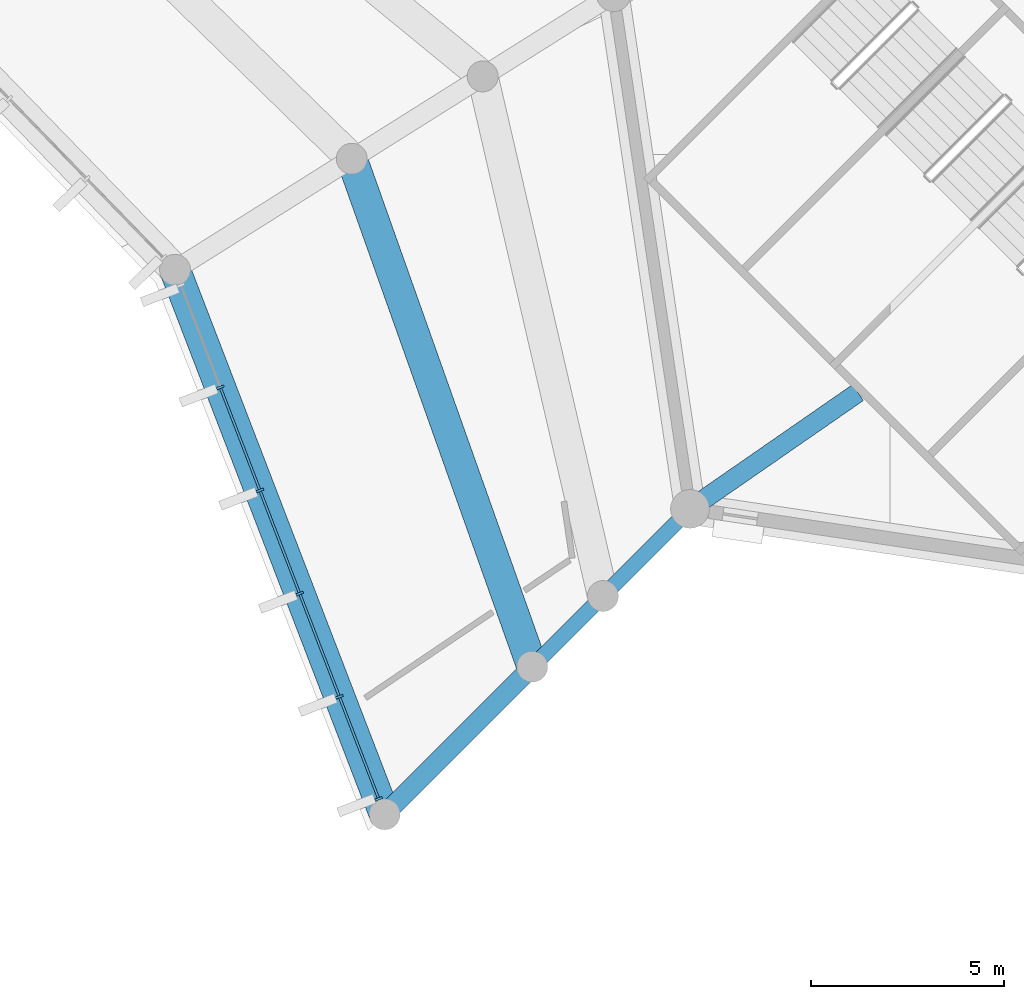
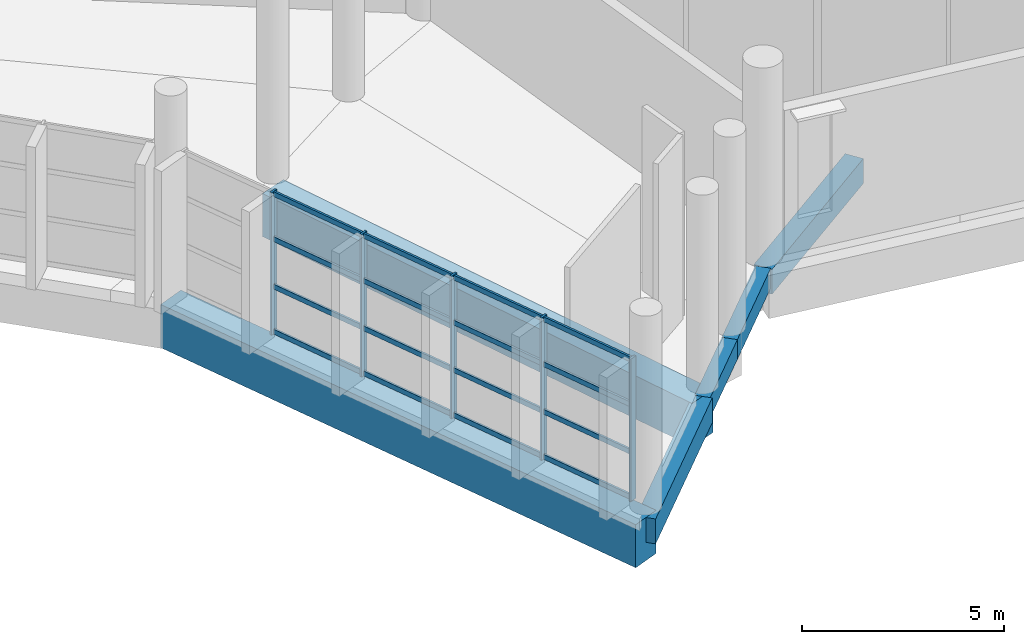
# One storey, part 5 of 249: 21 members, 6 beams, 1 element without a shape of its own.
"""IFC4 building model written with IfcOpenShell, lengths in metres."""

from ifc_helpers import new_model, si_unit, direction, frame, origin, origin_2d, place, context, subcontext, project, spatial, rectangle, extrude, material, layer, layer_set, material_profile, profile_set, type_object, element, aggregate, save


model = new_model("IFC4")

# Units and contexts
model_context = context("Model", 3, precision=1e-05, world=origin(), true_north=direction((0.0, 1.0)))
body_context = subcontext(model_context, "Body", "Model", "MODEL_VIEW")
ifc_project = project(units=[si_unit("LENGTHUNIT", "METRE"), si_unit("AREAUNIT", "SQUARE_METRE"), si_unit("VOLUMEUNIT", "CUBIC_METRE"), si_unit("PLANEANGLEUNIT", "RADIAN"), si_unit("MASSUNIT", "GRAM", prefix="KILO")], contexts=[model_context])

# Site, building, storey
site_placement = place(None, origin())
site = spatial("IfcSite", under=ifc_project, at=site_placement, CompositionType="ELEMENT")
building_placement = place(site_placement, origin())
building = spatial("IfcBuilding", under=site, at=building_placement, Name="Meseta Stadium", CompositionType="ELEMENT")
storey_placement = place(building_placement, frame((0.0, 0.0, 12.0)))
storey = spatial("IfcBuildingStorey", under=building, at=storey_placement, Name="L02", CompositionType="ELEMENT", Elevation=12.0)

# Beams
ifc_material_1 = material(Name="Concrete C40/50", Category="concrete")
ifc_material_profile_1 = material_profile(ifc_material_1, rectangle(XDim=0.39990234375, YDim=0.60009765625, at=origin_2d()), Name="RC 400x600")
ifc_profile_set_1 = profile_set([ifc_material_profile_1], Name="Concrete C40/50")
beam_type_1 = type_object("IfcBeamType", Name="RC beam 400x600", PredefinedType="BEAM", material=ifc_profile_set_1)
beam_1_placement = place(storey_placement, frame((-85.173583984375, -89.173583984375, -0.64990234375), z_axis=(-0.707106781187, -0.707106781187, 0.0), x_axis=(0.707106781187, -0.707106781187, 0.0)))
element("IfcBeam", 1, at=beam_1_placement, inside=storey, type_object=beam_type_1, Name="L02 radial beam frame 40 line R to M", PredefinedType="BEAM", context=body_context, shape_type="SweptSolid", body=[
    extrude(rectangle(XDim=0.39990234375, YDim=0.60009765625, at=origin_2d()), origin(), (0.0, 0.0, 1.0), 3.18603515625),
])
beam_2_placement = place(storey_placement, frame((-87.426513671875, -91.426513671875, -0.64990234375), z_axis=(-0.707106781187, -0.707106781187, 0.0), x_axis=(0.707106781187, -0.707106781187, 0.0)))
element("IfcBeam", 2, at=beam_2_placement, inside=storey, type_object=beam_type_1, Name="L02 radial beam frame 40 line M to Q", PredefinedType="BEAM", context=body_context, shape_type="SweptSolid", body=[
    extrude(rectangle(XDim=0.39990234375, YDim=0.60009765625, at=origin_2d()), origin(), (0.0, 0.0, 1.0), 2.585693359375),
])
ifc_material_2 = material(Name="Concrete C40/50", Category="concrete")
ifc_material_profile_2 = material_profile(ifc_material_2, rectangle(XDim=0.5, YDim=0.75, at=origin_2d()), Name="RC 500x750")
ifc_profile_set_2 = profile_set([ifc_material_profile_2], Name="Concrete C40/50")
beam_type_2 = type_object("IfcBeamType", Name="RC beam 500x750", PredefinedType="BEAM", material=ifc_profile_set_2)
beam_3_placement = place(storey_placement, frame((-80.830078125, -86.16357421875, -0.72509765625), z_axis=(-0.821929323184, -0.569589490503, 0.0), x_axis=(0.569589490503, -0.821929323184, 0.0)))
element("IfcBeam", 3, at=beam_3_placement, inside=storey, type_object=beam_type_2, Name="L02 radial beam frame 40 line P to R", PredefinedType="BEAM", context=body_context, shape_type="SweptSolid", body=[
    extrude(rectangle(XDim=0.5, YDim=0.75, at=origin_2d()), origin(), (0.0, 0.0, 1.0), 5.284423828125),
])
beam_4_placement = place(storey_placement, frame((-89.2548828125, -93.2548828125, -0.72509765625), z_axis=(-0.707106781187, -0.707106781187, 0.0), x_axis=(0.707106781187, -0.707106781187, 0.0)))
element("IfcBeam", 4, at=beam_4_placement, inside=storey, type_object=beam_type_2, Name="L02 radial beam frame 40 line Q to O", PredefinedType="BEAM", context=body_context, shape_type="SweptSolid", body=[
    extrude(rectangle(XDim=0.5, YDim=0.75, at=origin_2d()), origin(), (0.0, 0.0, 1.0), 5.39990234375),
])
ifc_material_3 = material(Name="Concrete C40/50", Category="concrete")
ifc_material_profile_3 = material_profile(ifc_material_3, rectangle(XDim=0.800048828125, YDim=1.300048828125, at=origin_2d()), Name="RC 800x1300")
ifc_profile_set_3 = profile_set([ifc_material_profile_3], Name="Concrete C40/50")
beam_type_3 = type_object("IfcBeamType", Name="RC beam 800x1300", PredefinedType="BEAM", material=ifc_profile_set_3)
beam_5_placement = place(storey_placement, frame((-93.924560546875, -80.113037109375, -1.0), z_axis=(0.334820067045, -0.942282082343, 0.0), x_axis=(0.942282082343, 0.334820067045, 0.0)))
element("IfcBeam", 5, at=beam_5_placement, inside=storey, type_object=beam_type_3, Name="L02 ring beam frame 39 line Q", PredefinedType="BEAM", context=body_context, shape_type="SweptSolid", body=[
    extrude(rectangle(XDim=0.800048828125, YDim=1.300048828125, at=origin_2d()), origin(), (0.0, 0.0, 1.0), 13.94677734375),
])
beam_6_placement = place(storey_placement, frame((-98.496826171875, -82.986083984375, -1.0), z_axis=(0.359293357588, -0.933224669195, 0.0), x_axis=(0.933224669195, 0.359293357588, 0.0)))
element("IfcBeam", 6, at=beam_6_placement, inside=storey, type_object=beam_type_3, Name="L02 ring beam frame 39 line O", PredefinedType="BEAM", context=body_context, shape_type="SweptSolid", body=[
    extrude(rectangle(XDim=0.800048828125, YDim=1.300048828125, at=origin_2d()), origin(), (0.0, 0.0, 1.0), 15.09521484375),
])

# Curtain wall, members
ifc_material_4 = material(Name="Aluminium", Category="aluminium")
ifc_layer = layer(ifc_material_4, 0.199951171875)
ifc_layer_set = layer_set([ifc_layer], Name="Ring shopfront curtain wall")
curtain_wall_type = type_object("IfcCurtainWallType", Name="Ring shopfront curtain wall", PredefinedType="NOTDEFINED", material=ifc_layer_set)
curtain_wall_placement = place(storey_placement, origin())
curtain_wall = element("IfcCurtainWall", 7, at=curtain_wall_placement, inside=storey, type_object=curtain_wall_type, Name="Ring glazing L02 F39", PredefinedType="NOTDEFINED")
ifc_material_5 = material(Name="Aluminium", Category="aluminium")
ifc_material_profile_4 = material_profile(ifc_material_5, rectangle(XDim=0.199951171875, YDim=0.06005859375, at=origin_2d()), Name="CW 200x60")
ifc_profile_set_4 = profile_set([ifc_material_profile_4], Name="Aluminium")
member_type_1 = type_object("IfcMemberType", Name="Ring CW mullion 60x200", PredefinedType="MULLION", material=ifc_profile_set_4)
member_1_placement = place(storey_placement, frame((-97.325927734375, -86.02734375, 0.0), z_axis=(0.0, 0.0, 1.0), x_axis=(0.933221328815, 0.359302033734, 0.0)))
member_1 = element("IfcMember", 8, at=member_1_placement, type_object=member_type_1, Name="CWR1 mullion 2", PredefinedType="MULLION", context=body_context, shape_type="SweptSolid", body=[
    extrude(rectangle(XDim=0.199951171875, YDim=0.06005859375, at=origin_2d()), origin(), (0.0, 0.0, 1.0), 4.300048828125),
])
member_2_placement = place(storey_placement, frame((-96.298583984375, -88.695556640625, 0.0), z_axis=(0.0, 0.0, 1.0), x_axis=(0.933221328815, 0.359302033734, 0.0)))
member_2 = element("IfcMember", 9, at=member_2_placement, type_object=member_type_1, Name="CWR1 mullion 3", PredefinedType="MULLION", context=body_context, shape_type="SweptSolid", body=[
    extrude(rectangle(XDim=0.199951171875, YDim=0.06005859375, at=origin_2d()), origin(), (0.0, 0.0, 1.0), 4.300048828125),
])
member_3_placement = place(storey_placement, frame((-95.271484375, -91.36376953125, 0.0), z_axis=(0.0, 0.0, 1.0), x_axis=(0.933221328815, 0.359302033734, 0.0)))
member_3 = element("IfcMember", 10, at=member_3_placement, type_object=member_type_1, Name="CWR1 mullion 4", PredefinedType="MULLION", context=body_context, shape_type="SweptSolid", body=[
    extrude(rectangle(XDim=0.199951171875, YDim=0.06005859375, at=origin_2d()), origin(), (0.0, 0.0, 1.0), 4.300048828125),
])
member_4_placement = place(storey_placement, frame((-94.244140625, -94.03173828125, 0.0), z_axis=(0.0, 0.0, 1.0), x_axis=(0.933221328815, 0.359302033734, 0.0)))
member_4 = element("IfcMember", 11, at=member_4_placement, type_object=member_type_1, Name="CWR1 mullion 5", PredefinedType="MULLION", context=body_context, shape_type="SweptSolid", body=[
    extrude(rectangle(XDim=0.199951171875, YDim=0.06005859375, at=origin_2d()), origin(), (0.0, 0.0, 1.0), 4.300048828125),
])
member_5_placement = place(storey_placement, frame((-93.227783203125, -96.671875, 0.0), z_axis=(0.0, 0.0, 1.0), x_axis=(0.933221328815, 0.359302033734, 0.0)))
member_5 = element("IfcMember", 12, at=member_5_placement, type_object=member_type_1, Name="CWR1 mullion 6", PredefinedType="MULLION", context=body_context, shape_type="SweptSolid", body=[
    extrude(rectangle(XDim=0.199951171875, YDim=0.06005859375, at=origin_2d()), origin(), (0.0, 0.0, 1.0), 4.300048828125),
])
ifc_material_6 = material(Name="Aluminium", Category="aluminium")
ifc_material_profile_5 = material_profile(ifc_material_6, rectangle(XDim=0.06005859375, YDim=0.14990234375, at=origin_2d()), Name="CW 60x150")
ifc_profile_set_5 = profile_set([ifc_material_profile_5], Name="Aluminium")
member_type_2 = type_object("IfcMemberType", Name="Ring CW transom 60x150", PredefinedType="USERDEFINED", material=ifc_profile_set_5)
member_6_placement = place(storey_placement, frame((-97.315185546875, -86.055419921875, 0.074951171875), z_axis=(0.359283001664, -0.93322865618, 0.0), x_axis=(0.93322865618, 0.359283001664, 0.0)))
member_6 = element("IfcMember", 13, at=member_6_placement, type_object=member_type_2, Name="CWR1 transom 2.1", ObjectType="TRANSOM", PredefinedType="USERDEFINED", context=body_context, shape_type="SweptSolid", body=[
    extrude(rectangle(XDim=0.06005859375, YDim=0.14990234375, at=origin_2d()), origin(), (0.0, 0.0, 1.0), 2.799072265625),
])
member_7_placement = place(storey_placement, frame((-97.315185546875, -86.055419921875, 1.433349609375), z_axis=(0.359283001664, -0.93322865618, 0.0), x_axis=(0.93322865618, 0.359283001664, 0.0)))
member_7 = element("IfcMember", 14, at=member_7_placement, type_object=member_type_2, Name="CWR1 transom 2.2", ObjectType="TRANSOM", PredefinedType="USERDEFINED", context=body_context, shape_type="SweptSolid", body=[
    extrude(rectangle(XDim=0.06005859375, YDim=0.14990234375, at=origin_2d()), origin(), (0.0, 0.0, 1.0), 2.799072265625),
])
member_8_placement = place(storey_placement, frame((-97.315185546875, -86.055419921875, 2.86669921875), z_axis=(0.359283001664, -0.93322865618, 0.0), x_axis=(0.93322865618, 0.359283001664, 0.0)))
member_8 = element("IfcMember", 15, at=member_8_placement, type_object=member_type_2, Name="CWR1 transom 2.3", ObjectType="TRANSOM", PredefinedType="USERDEFINED", context=body_context, shape_type="SweptSolid", body=[
    extrude(rectangle(XDim=0.06005859375, YDim=0.14990234375, at=origin_2d()), origin(), (0.0, 0.0, 1.0), 2.799072265625),
])
member_9_placement = place(storey_placement, frame((-97.315185546875, -86.055419921875, 4.22509765625), z_axis=(0.359283001664, -0.93322865618, 0.0), x_axis=(0.93322865618, 0.359283001664, 0.0)))
member_9 = element("IfcMember", 16, at=member_9_placement, type_object=member_type_2, Name="CWR1 transom 2.4", ObjectType="TRANSOM", PredefinedType="USERDEFINED", context=body_context, shape_type="SweptSolid", body=[
    extrude(rectangle(XDim=0.06005859375, YDim=0.14990234375, at=origin_2d()), origin(), (0.0, 0.0, 1.0), 2.799072265625),
])
member_10_placement = place(storey_placement, frame((-96.287841796875, -88.7236328125, 0.074951171875), z_axis=(0.359283001664, -0.93322865618, 0.0), x_axis=(0.93322865618, 0.359283001664, 0.0)))
member_10 = element("IfcMember", 17, at=member_10_placement, type_object=member_type_2, Name="CWR1 transom 3.1", ObjectType="TRANSOM", PredefinedType="USERDEFINED", context=body_context, shape_type="SweptSolid", body=[
    extrude(rectangle(XDim=0.06005859375, YDim=0.14990234375, at=origin_2d()), origin(), (0.0, 0.0, 1.0), 2.799072265625),
])
member_11_placement = place(storey_placement, frame((-96.287841796875, -88.7236328125, 1.433349609375), z_axis=(0.359283001664, -0.93322865618, 0.0), x_axis=(0.93322865618, 0.359283001664, 0.0)))
member_11 = element("IfcMember", 18, at=member_11_placement, type_object=member_type_2, Name="CWR1 transom 3.2", ObjectType="TRANSOM", PredefinedType="USERDEFINED", context=body_context, shape_type="SweptSolid", body=[
    extrude(rectangle(XDim=0.06005859375, YDim=0.14990234375, at=origin_2d()), origin(), (0.0, 0.0, 1.0), 2.799072265625),
])
member_12_placement = place(storey_placement, frame((-96.287841796875, -88.7236328125, 2.86669921875), z_axis=(0.359283001664, -0.93322865618, 0.0), x_axis=(0.93322865618, 0.359283001664, 0.0)))
member_12 = element("IfcMember", 19, at=member_12_placement, type_object=member_type_2, Name="CWR1 transom 3.3", ObjectType="TRANSOM", PredefinedType="USERDEFINED", context=body_context, shape_type="SweptSolid", body=[
    extrude(rectangle(XDim=0.06005859375, YDim=0.14990234375, at=origin_2d()), origin(), (0.0, 0.0, 1.0), 2.799072265625),
])
member_13_placement = place(storey_placement, frame((-96.287841796875, -88.7236328125, 4.22509765625), z_axis=(0.359283001664, -0.93322865618, 0.0), x_axis=(0.93322865618, 0.359283001664, 0.0)))
member_13 = element("IfcMember", 20, at=member_13_placement, type_object=member_type_2, Name="CWR1 transom 3.4", ObjectType="TRANSOM", PredefinedType="USERDEFINED", context=body_context, shape_type="SweptSolid", body=[
    extrude(rectangle(XDim=0.06005859375, YDim=0.14990234375, at=origin_2d()), origin(), (0.0, 0.0, 1.0), 2.799072265625),
])
member_14_placement = place(storey_placement, frame((-95.2607421875, -91.3916015625, 0.074951171875), z_axis=(0.359358964399, -0.933199407793, 0.0), x_axis=(0.933199407793, 0.359358964399, 0.0)))
member_14 = element("IfcMember", 21, at=member_14_placement, type_object=member_type_2, Name="CWR1 transom 4.1", ObjectType="TRANSOM", PredefinedType="USERDEFINED", context=body_context, shape_type="SweptSolid", body=[
    extrude(rectangle(XDim=0.06005859375, YDim=0.14990234375, at=origin_2d()), origin(), (0.0, 0.0, 1.0), 2.799072265625),
])
member_15_placement = place(storey_placement, frame((-95.2607421875, -91.3916015625, 1.433349609375), z_axis=(0.359358964399, -0.933199407793, 0.0), x_axis=(0.933199407793, 0.359358964399, 0.0)))
member_15 = element("IfcMember", 22, at=member_15_placement, type_object=member_type_2, Name="CWR1 transom 4.2", ObjectType="TRANSOM", PredefinedType="USERDEFINED", context=body_context, shape_type="SweptSolid", body=[
    extrude(rectangle(XDim=0.06005859375, YDim=0.14990234375, at=origin_2d()), origin(), (0.0, 0.0, 1.0), 2.799072265625),
])
member_16_placement = place(storey_placement, frame((-95.2607421875, -91.3916015625, 2.86669921875), z_axis=(0.359358964399, -0.933199407793, 0.0), x_axis=(0.933199407793, 0.359358964399, 0.0)))
member_16 = element("IfcMember", 23, at=member_16_placement, type_object=member_type_2, Name="CWR1 transom 4.3", ObjectType="TRANSOM", PredefinedType="USERDEFINED", context=body_context, shape_type="SweptSolid", body=[
    extrude(rectangle(XDim=0.06005859375, YDim=0.14990234375, at=origin_2d()), origin(), (0.0, 0.0, 1.0), 2.799072265625),
])
member_17_placement = place(storey_placement, frame((-95.2607421875, -91.3916015625, 4.22509765625), z_axis=(0.359358964399, -0.933199407793, 0.0), x_axis=(0.933199407793, 0.359358964399, 0.0)))
member_17 = element("IfcMember", 24, at=member_17_placement, type_object=member_type_2, Name="CWR1 transom 4.4", ObjectType="TRANSOM", PredefinedType="USERDEFINED", context=body_context, shape_type="SweptSolid", body=[
    extrude(rectangle(XDim=0.06005859375, YDim=0.14990234375, at=origin_2d()), origin(), (0.0, 0.0, 1.0), 2.799072265625),
])
member_18_placement = place(storey_placement, frame((-94.2333984375, -94.059814453125, 0.074951171875), z_axis=(0.35930402419, -0.933220562461, 0.0), x_axis=(0.933220562461, 0.35930402419, 0.0)))
member_18 = element("IfcMember", 25, at=member_18_placement, type_object=member_type_2, Name="CWR1 transom 5.1", ObjectType="TRANSOM", PredefinedType="USERDEFINED", context=body_context, shape_type="SweptSolid", body=[
    extrude(rectangle(XDim=0.06005859375, YDim=0.14990234375, at=origin_2d()), origin(), (0.0, 0.0, 1.0), 2.768798828125),
])
member_19_placement = place(storey_placement, frame((-94.2333984375, -94.059814453125, 1.433349609375), z_axis=(0.35930402419, -0.933220562461, 0.0), x_axis=(0.933220562461, 0.35930402419, 0.0)))
member_19 = element("IfcMember", 26, at=member_19_placement, type_object=member_type_2, Name="CWR1 transom 5.2", ObjectType="TRANSOM", PredefinedType="USERDEFINED", context=body_context, shape_type="SweptSolid", body=[
    extrude(rectangle(XDim=0.06005859375, YDim=0.14990234375, at=origin_2d()), origin(), (0.0, 0.0, 1.0), 2.768798828125),
])
member_20_placement = place(storey_placement, frame((-94.2333984375, -94.059814453125, 2.86669921875), z_axis=(0.35930402419, -0.933220562461, 0.0), x_axis=(0.933220562461, 0.35930402419, 0.0)))
member_20 = element("IfcMember", 27, at=member_20_placement, type_object=member_type_2, Name="CWR1 transom 5.3", ObjectType="TRANSOM", PredefinedType="USERDEFINED", context=body_context, shape_type="SweptSolid", body=[
    extrude(rectangle(XDim=0.06005859375, YDim=0.14990234375, at=origin_2d()), origin(), (0.0, 0.0, 1.0), 2.768798828125),
])
member_21_placement = place(storey_placement, frame((-94.2333984375, -94.059814453125, 4.22509765625), z_axis=(0.35930402419, -0.933220562461, 0.0), x_axis=(0.933220562461, 0.35930402419, 0.0)))
member_21 = element("IfcMember", 28, at=member_21_placement, type_object=member_type_2, Name="CWR1 transom 5.4", ObjectType="TRANSOM", PredefinedType="USERDEFINED", context=body_context, shape_type="SweptSolid", body=[
    extrude(rectangle(XDim=0.06005859375, YDim=0.14990234375, at=origin_2d()), origin(), (0.0, 0.0, 1.0), 2.768798828125),
])
aggregate(curtain_wall, [member_1, member_2, member_3, member_4, member_5, member_6, member_7, member_8, member_9, member_10, member_11, member_12, member_13, member_14, member_15, member_16, member_17, member_18, member_19, member_20, member_21])

save(model, "model.ifc")
